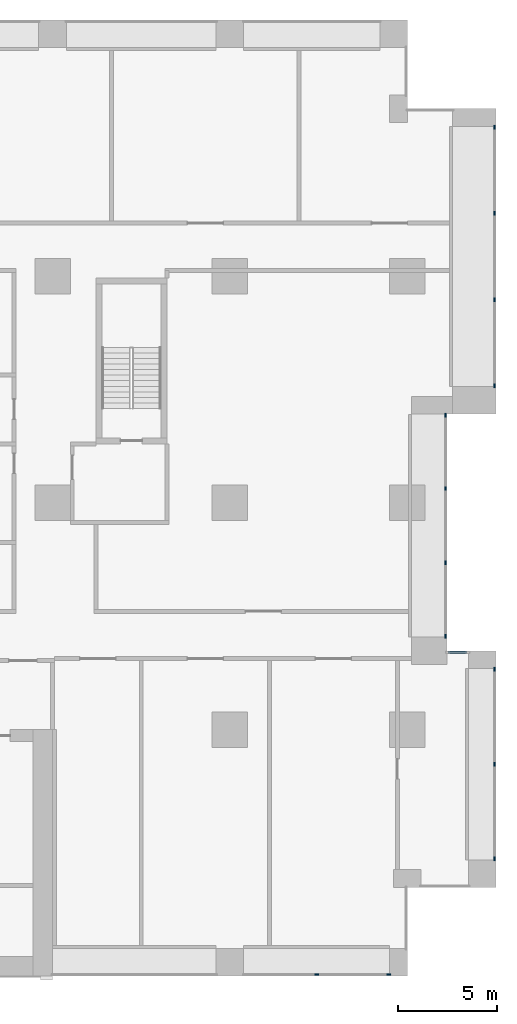
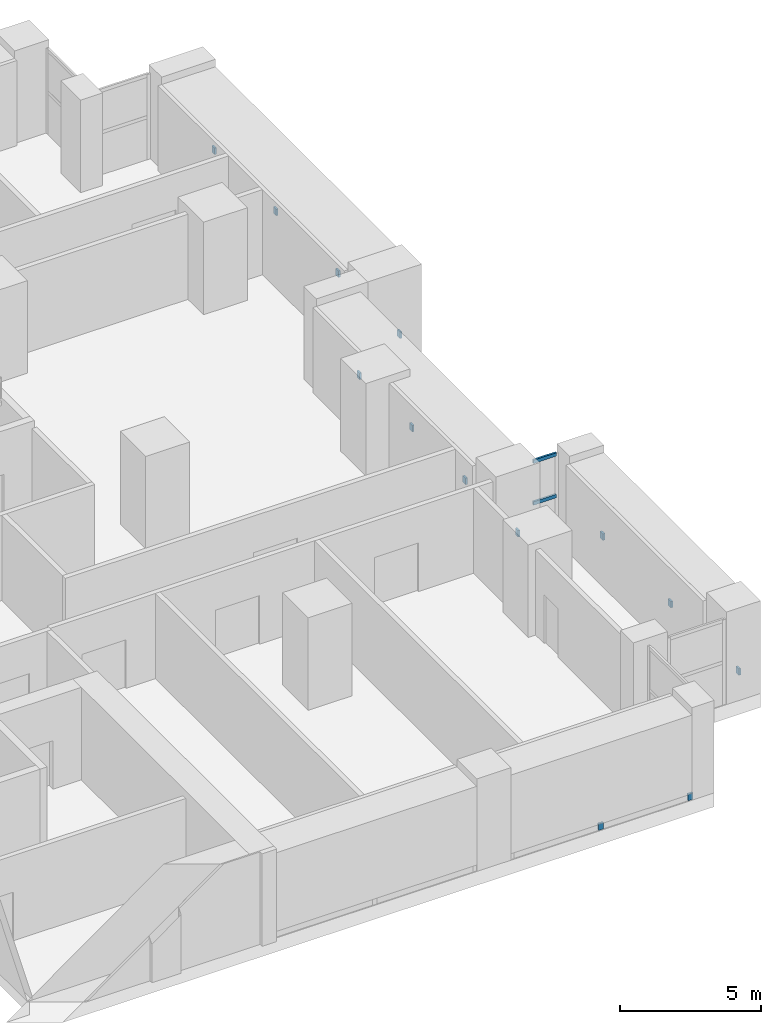
# One storey, part 16 of 24: 15 members, 5 elements without a shape of their own.
"""IFC4 building model written with IfcOpenShell, lengths in metres."""

from ifc_helpers import new_model, si_unit, direction, frame, origin, origin_2d, place, context, subcontext, project, spatial, rectangle, extrude, material, layer, layer_set, material_profile, profile_set, type_object, element, aggregate, save


model = new_model("IFC4")

# Units and contexts
model_context = context("Model", 3, precision=1e-05, world=origin(), true_north=direction((0.0, 1.0)))
body_context = subcontext(model_context, "Body", "Model", "MODEL_VIEW")
ifc_project = project(units=[si_unit("LENGTHUNIT", "METRE"), si_unit("AREAUNIT", "SQUARE_METRE"), si_unit("VOLUMEUNIT", "CUBIC_METRE"), si_unit("PLANEANGLEUNIT", "RADIAN"), si_unit("MASSUNIT", "GRAM", prefix="KILO")], contexts=[model_context])

# Site, building, storey
site_placement = place(None, origin())
site = spatial("IfcSite", under=ifc_project, at=site_placement, CompositionType="ELEMENT")
building_placement = place(site_placement, origin())
building = spatial("IfcBuilding", under=site, at=building_placement, Name="Brigalow Station Residences", CompositionType="ELEMENT")
storey_placement = place(building_placement, frame((0.0, 0.0, 15.5)))
storey = spatial("IfcBuildingStorey", under=building, at=storey_placement, Name="L03", CompositionType="ELEMENT", Elevation=15.5)

# Curtain wall, members
ifc_material_1 = material(Name="Aluminium", Category="aluminium")
ifc_layer = layer(ifc_material_1, 0.199951171875)
ifc_layer_set = layer_set([ifc_layer], Name="REFUGE FLOOR LOUVRE CURTAIN WALL")
curtain_wall_type = type_object("IfcCurtainWallType", Name="REFUGE FLOOR LOUVRE CURTAIN WALL", PredefinedType="NOTDEFINED", material=ifc_layer_set)
curtain_wall_1_placement = place(storey_placement, origin())
curtain_wall_1 = element("IfcCurtainWall", 1, at=curtain_wall_1_placement, inside=storey, type_object=curtain_wall_type, Name="L03/cw/louvre-slot-W-L03-5-3", PredefinedType="NOTDEFINED")
ifc_material_2 = material(Name="Aluminium", Category="aluminium")
ifc_material_profile_1 = material_profile(ifc_material_2, rectangle(XDim=0.080078125, YDim=0.199951171875, at=origin_2d()), Name="REFUGE FLOOR LOUVRE MULLION 80x200")
ifc_profile_set_1 = profile_set([ifc_material_profile_1], Name="Aluminium")
member_type_1 = type_object("IfcMemberType", Name="REFUGE FLOOR LOUVRE MULLION 80x200", PredefinedType="MULLION", material=ifc_profile_set_1)
member_1_placement = place(storey_placement, frame((67.39990234375, 0.074951171875, 0.0), z_axis=(0.0, 0.0, 1.0), x_axis=(0.0, 1.0, 0.0)))
member_1 = element("IfcMember", 2, at=member_1_placement, type_object=member_type_1, Name="L03/cw/louvre-slot-W-L03-5-3/M01", PredefinedType="MULLION", context=body_context, shape_type="SweptSolid", body=[
    extrude(rectangle(XDim=0.080078125, YDim=0.199951171875, at=origin_2d()), origin(), (0.0, 0.0, 1.0), 0.280029296875),
])
member_2_placement = place(storey_placement, frame((71.06005859375, 0.074951171875, 0.0), z_axis=(0.0, 0.0, 1.0), x_axis=(0.0, 1.0, 0.0)))
member_2 = element("IfcMember", 3, at=member_2_placement, type_object=member_type_1, Name="L03/cw/louvre-slot-W-L03-5-3/M02", PredefinedType="MULLION", context=body_context, shape_type="SweptSolid", body=[
    extrude(rectangle(XDim=0.080078125, YDim=0.199951171875, at=origin_2d()), origin(), (0.0, 0.0, 1.0), 0.280029296875),
])
aggregate(curtain_wall_1, [member_1, member_2])

curtain_wall_2_placement = place(storey_placement, origin())
curtain_wall_2 = element("IfcCurtainWall", 4, at=curtain_wall_2_placement, inside=storey, type_object=curtain_wall_type, Name="L03/cw/louvre-slot-W-L03-11-4", PredefinedType="NOTDEFINED")
member_3_placement = place(storey_placement, frame((76.425048828125, 5.93994140625, 0.0), z_axis=(0.0, 0.0, 1.0), x_axis=(-1.0, 0.0, 0.0)))
member_3 = element("IfcMember", 5, at=member_3_placement, type_object=member_type_1, Name="L03/cw/louvre-slot-W-L03-11-4/M00", PredefinedType="MULLION", context=body_context, shape_type="SweptSolid", body=[
    extrude(rectangle(XDim=0.080078125, YDim=0.199951171875, at=origin_2d()), origin(), (0.0, 0.0, 1.0), 0.280029296875),
])
member_4_placement = place(storey_placement, frame((76.425048828125, 10.75, 0.0), z_axis=(0.0, 0.0, 1.0), x_axis=(-1.0, 0.0, 0.0)))
member_4 = element("IfcMember", 6, at=member_4_placement, type_object=member_type_1, Name="L03/cw/louvre-slot-W-L03-11-4/M01", PredefinedType="MULLION", context=body_context, shape_type="SweptSolid", body=[
    extrude(rectangle(XDim=0.080078125, YDim=0.199951171875, at=origin_2d()), origin(), (0.0, 0.0, 1.0), 0.280029296875),
])
member_5_placement = place(storey_placement, frame((76.425048828125, 15.56005859375, 0.0), z_axis=(0.0, 0.0, 1.0), x_axis=(-1.0, 0.0, 0.0)))
member_5 = element("IfcMember", 7, at=member_5_placement, type_object=member_type_1, Name="L03/cw/louvre-slot-W-L03-11-4/M02", PredefinedType="MULLION", context=body_context, shape_type="SweptSolid", body=[
    extrude(rectangle(XDim=0.080078125, YDim=0.199951171875, at=origin_2d()), origin(), (0.0, 0.0, 1.0), 0.280029296875),
])
aggregate(curtain_wall_2, [member_3, member_4, member_5])

curtain_wall_3_placement = place(storey_placement, origin())
curtain_wall_3 = element("IfcCurtainWall", 8, at=curtain_wall_3_placement, inside=storey, type_object=curtain_wall_type, Name="L03/cw/louvre-slot-W-L03-15-5", PredefinedType="NOTDEFINED")
member_6_placement = place(storey_placement, frame((73.925048828125, 17.239990234375, 0.0), z_axis=(0.0, 0.0, 1.0), x_axis=(-1.0, 0.0, 0.0)))
member_6 = element("IfcMember", 9, at=member_6_placement, type_object=member_type_1, Name="L03/cw/louvre-slot-W-L03-15-5/M00", PredefinedType="MULLION", context=body_context, shape_type="SweptSolid", body=[
    extrude(rectangle(XDim=0.080078125, YDim=0.199951171875, at=origin_2d()), origin(), (0.0, 0.0, 1.0), 0.280029296875),
])
member_7_placement = place(storey_placement, frame((73.925048828125, 20.966796875, 0.0), z_axis=(0.0, 0.0, 1.0), x_axis=(-1.0, 0.0, 0.0)))
member_7 = element("IfcMember", 10, at=member_7_placement, type_object=member_type_1, Name="L03/cw/louvre-slot-W-L03-15-5/M01", PredefinedType="MULLION", context=body_context, shape_type="SweptSolid", body=[
    extrude(rectangle(XDim=0.080078125, YDim=0.199951171875, at=origin_2d()), origin(), (0.0, 0.0, 1.0), 0.280029296875),
])
member_8_placement = place(storey_placement, frame((73.925048828125, 24.7333984375, 0.0), z_axis=(0.0, 0.0, 1.0), x_axis=(-1.0, 0.0, 0.0)))
member_8 = element("IfcMember", 11, at=member_8_placement, type_object=member_type_1, Name="L03/cw/louvre-slot-W-L03-15-5/M02", PredefinedType="MULLION", context=body_context, shape_type="SweptSolid", body=[
    extrude(rectangle(XDim=0.080078125, YDim=0.199951171875, at=origin_2d()), origin(), (0.0, 0.0, 1.0), 0.280029296875),
])
member_9_placement = place(storey_placement, frame((73.925048828125, 28.4599609375, 0.0), z_axis=(0.0, 0.0, 1.0), x_axis=(-1.0, 0.0, 0.0)))
member_9 = element("IfcMember", 12, at=member_9_placement, type_object=member_type_1, Name="L03/cw/louvre-slot-W-L03-15-5/M03", PredefinedType="MULLION", context=body_context, shape_type="SweptSolid", body=[
    extrude(rectangle(XDim=0.080078125, YDim=0.199951171875, at=origin_2d()), origin(), (0.0, 0.0, 1.0), 0.280029296875),
])
aggregate(curtain_wall_3, [member_6, member_7, member_8, member_9])

curtain_wall_4_placement = place(storey_placement, origin())
curtain_wall_4 = element("IfcCurtainWall", 13, at=curtain_wall_4_placement, inside=storey, type_object=curtain_wall_type, Name="L03/cw/louvre-slot-W-L03-19-6", PredefinedType="NOTDEFINED")
member_10_placement = place(storey_placement, frame((76.425048828125, 29.93994140625, 0.0), z_axis=(0.0, 0.0, 1.0), x_axis=(-1.0, 0.0, 0.0)))
member_10 = element("IfcMember", 14, at=member_10_placement, type_object=member_type_1, Name="L03/cw/louvre-slot-W-L03-19-6/M00", PredefinedType="MULLION", context=body_context, shape_type="SweptSolid", body=[
    extrude(rectangle(XDim=0.080078125, YDim=0.199951171875, at=origin_2d()), origin(), (0.0, 0.0, 1.0), 0.280029296875),
])
member_11_placement = place(storey_placement, frame((76.425048828125, 34.300048828125, 0.0), z_axis=(0.0, 0.0, 1.0), x_axis=(-1.0, 0.0, 0.0)))
member_11 = element("IfcMember", 15, at=member_11_placement, type_object=member_type_1, Name="L03/cw/louvre-slot-W-L03-19-6/M01", PredefinedType="MULLION", context=body_context, shape_type="SweptSolid", body=[
    extrude(rectangle(XDim=0.080078125, YDim=0.199951171875, at=origin_2d()), origin(), (0.0, 0.0, 1.0), 0.280029296875),
])
member_12_placement = place(storey_placement, frame((76.425048828125, 38.699951171875, 0.0), z_axis=(0.0, 0.0, 1.0), x_axis=(-1.0, 0.0, 0.0)))
member_12 = element("IfcMember", 16, at=member_12_placement, type_object=member_type_1, Name="L03/cw/louvre-slot-W-L03-19-6/M02", PredefinedType="MULLION", context=body_context, shape_type="SweptSolid", body=[
    extrude(rectangle(XDim=0.080078125, YDim=0.199951171875, at=origin_2d()), origin(), (0.0, 0.0, 1.0), 0.280029296875),
])
member_13_placement = place(storey_placement, frame((76.425048828125, 43.06005859375, 0.0), z_axis=(0.0, 0.0, 1.0), x_axis=(-1.0, 0.0, 0.0)))
member_13 = element("IfcMember", 17, at=member_13_placement, type_object=member_type_1, Name="L03/cw/louvre-slot-W-L03-19-6/M03", PredefinedType="MULLION", context=body_context, shape_type="SweptSolid", body=[
    extrude(rectangle(XDim=0.080078125, YDim=0.199951171875, at=origin_2d()), origin(), (0.0, 0.0, 1.0), 0.280029296875),
])
aggregate(curtain_wall_4, [member_10, member_11, member_12, member_13])

curtain_wall_5_placement = place(storey_placement, origin())
curtain_wall_5 = element("IfcCurtainWall", 18, at=curtain_wall_5_placement, inside=storey, type_object=curtain_wall_type, Name="L03/cw/louvre-W-L03-14-4", PredefinedType="NOTDEFINED")
ifc_material_3 = material(Name="Aluminium", Category="aluminium")
ifc_material_profile_2 = material_profile(ifc_material_3, rectangle(XDim=0.080078125, YDim=0.14990234375, at=origin_2d()), Name="REFUGE FLOOR LOUVRE TRANSOM 80x150")
ifc_profile_set_2 = profile_set([ifc_material_profile_2], Name="Aluminium")
member_type_2 = type_object("IfcMemberType", Name="REFUGE FLOOR LOUVRE TRANSOM 80x150", PredefinedType="USERDEFINED", material=ifc_profile_set_2)
member_14_placement = place(storey_placement, frame((75.02001953125, 16.425048828125, 1.840087890625), z_axis=(-1.0, 0.0, 0.0), x_axis=(0.0, -1.0, 0.0)))
member_14 = element("IfcMember", 19, at=member_14_placement, type_object=member_type_2, Name="L03/cw/louvre-W-L03-14-4/T00-00", ObjectType="TRANSOM", PredefinedType="USERDEFINED", context=body_context, shape_type="SweptSolid", body=[
    extrude(rectangle(XDim=0.080078125, YDim=0.14990234375, at=origin_2d()), origin(), (0.0, 0.0, 1.0), 0.93994140625),
])
member_15_placement = place(storey_placement, frame((75.02001953125, 16.425048828125, 3.639892578125), z_axis=(-1.0, 0.0, 0.0), x_axis=(0.0, -1.0, 0.0)))
member_15 = element("IfcMember", 20, at=member_15_placement, type_object=member_type_2, Name="L03/cw/louvre-W-L03-14-4/T00-01", ObjectType="TRANSOM", PredefinedType="USERDEFINED", context=body_context, shape_type="SweptSolid", body=[
    extrude(rectangle(XDim=0.080078125, YDim=0.14990234375, at=origin_2d()), origin(), (0.0, 0.0, 1.0), 0.93994140625),
])
aggregate(curtain_wall_5, [member_14, member_15])

save(model, "model.ifc")
